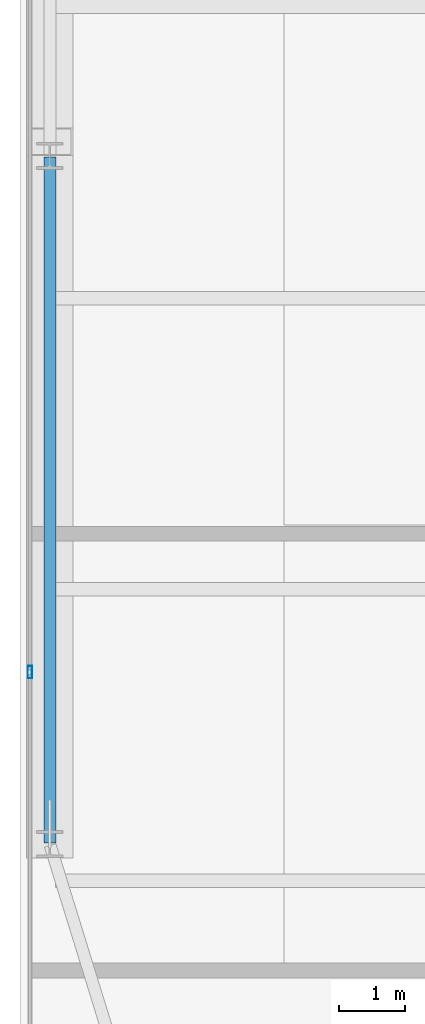
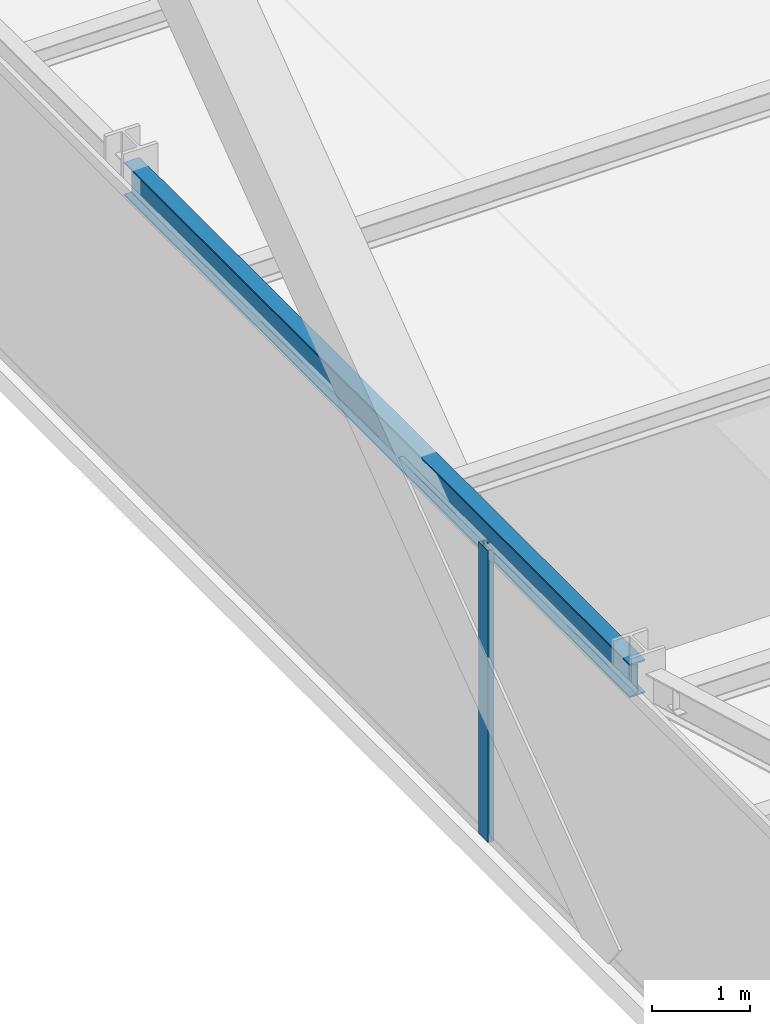
# One storey, part 9 of 32: 1 beam, 1 member, 1 element without a shape of its own.
"""IFC4 building model written with IfcOpenShell, lengths in metres."""

from ifc_helpers import new_model, si_unit, direction, frame, origin, origin_2d, place, context, subcontext, project, spatial, hollow_rectangle, i_section, extrude, source, transform, mapped, material, layer, layer_set, material_profile, profile_set, type_object, type_shapes, element, aggregate, save


model = new_model("IFC4")

# Units and contexts
model_context = context("Model", 3, precision=1e-05, world=origin(), true_north=direction((0.0, 1.0)))
body_context = subcontext(model_context, "Body", "Model", "MODEL_VIEW")
ifc_project = project(units=[si_unit("LENGTHUNIT", "METRE"), si_unit("AREAUNIT", "SQUARE_METRE"), si_unit("VOLUMEUNIT", "CUBIC_METRE"), si_unit("PLANEANGLEUNIT", "RADIAN"), si_unit("MASSUNIT", "GRAM", prefix="KILO")], contexts=[model_context])

# Site, building, storey
site_placement = place(None, origin())
site = spatial("IfcSite", under=ifc_project, at=site_placement, CompositionType="ELEMENT")
building_placement = place(site_placement, origin())
building = spatial("IfcBuilding", under=site, at=building_placement, Name="Varnel Quay Broadcast Tower", CompositionType="ELEMENT")
storey_placement = place(building_placement, frame((0.0, 0.0, 43.199951171875)))
storey = spatial("IfcBuildingStorey", under=building, at=storey_placement, Name="L09", CompositionType="ELEMENT", Elevation=43.199951171875)

# Beam
ifc_material_1 = material(Name="Structural Steel CSA G40.21 350W", Category="steel")
ifc_material_profile_1 = material_profile(ifc_material_1, i_section(OverallWidth=0.180908203125, OverallDepth=0.4169921875, WebThickness=0.010986328125, FlangeThickness=0.018310546875, FilletRadius=0.011962890625, at=origin_2d()), Name="W410X85")
ifc_profile_set_1 = profile_set([ifc_material_profile_1], Name="Structural Steel CSA G40.21 350W")
beam_type = type_object("IfcBeamType", Name="Beam_W410X85", PredefinedType="SPANDREL", material=ifc_profile_set_1)
shared_shape_1 = source(origin(), body_context, "Body", "SweptSolid", [
    extrude(i_section(OverallWidth=0.180908203125, OverallDepth=0.4169921875, WebThickness=0.010986328125, FlangeThickness=0.018310546875, FilletRadius=0.011962890625, at=origin_2d()), origin(), (0.0, 0.0, 1.0), 10.35986328125),
])
type_shapes(beam_type, [shared_shape_1])
beam_placement = place(storey_placement, frame((2.449951171875, 15.02001953125, 3.441650390625), z_axis=(0.0, 1.0, 0.0), x_axis=(-1.0, 0.0, 0.0)))
element("IfcBeam", 1, at=beam_placement, inside=storey, type_object=beam_type, Name="L09 West Spandrel TC-W1-TC-W2", PredefinedType="SPANDREL", context=body_context, shape_type="MappedRepresentation", body=[
    mapped(shared_shape_1, transform((0.0, 0.0, 0.0), x_axis=(1.0, 0.0, 0.0), y_axis=(0.0, 1.0, 0.0), z_axis=(0.0, 0.0, 1.0), scale=1.0)),
])

# Curtain wall, member
ifc_material_2 = material(Name="Anodised Bronze Aluminium 6063-T6", Category="aluminium")
ifc_layer = layer(ifc_material_2, 0.18994140625, Name="Anodised Bronze Aluminium 6063-T6")
ifc_layer_set = layer_set([ifc_layer], Name="Anodised Bronze Aluminium 6063-T6")
curtain_wall_type = type_object("IfcCurtainWallType", Name="CW_LowerTower", PredefinedType="NOTDEFINED", material=ifc_layer_set)
curtain_wall_placement = place(storey_placement, origin())
curtain_wall = element("IfcCurtainWall", 2, at=curtain_wall_placement, inside=storey, type_object=curtain_wall_type, Name="L09 West Unitised Curtain Wall", PredefinedType="NOTDEFINED")
ifc_material_profile_2 = material_profile(ifc_material_2, hollow_rectangle(XDim=0.070068359375, YDim=0.18994140625, WallThickness=0.00390625, at=origin_2d()), Name="ALU70X190X4")
ifc_profile_set_2 = profile_set([ifc_material_profile_2], Name="Anodised Bronze Aluminium 6063-T6")
member_type = type_object("IfcMemberType", Name="Mull_CWS-02", PredefinedType="MULLION", material=ifc_profile_set_2)
shared_shape_2 = source(origin(), body_context, "Body", "SweptSolid", [
    extrude(hollow_rectangle(XDim=0.070068359375, YDim=0.18994140625, WallThickness=0.00390625, at=origin_2d()), origin(), (0.0, 0.0, 1.0), 3.650146484375),
])
type_shapes(member_type, [shared_shape_2])
member_placement = place(storey_placement, frame((2.14990234375, 17.60009765625, 0.0), z_axis=(0.0, 0.0, 1.0), x_axis=(-1.0, 0.0, 0.0)))
member = element("IfcMember", 3, at=member_placement, type_object=member_type, Name="CWS-02 mullion 2", PredefinedType="MULLION", context=body_context, shape_type="MappedRepresentation", body=[
    mapped(shared_shape_2, transform((0.0, 0.0, 0.0), x_axis=(1.0, 0.0, 0.0), y_axis=(0.0, 1.0, 0.0), z_axis=(0.0, 0.0, 1.0), scale=1.0)),
])
aggregate(curtain_wall, [member])

save(model, "model.ifc")
